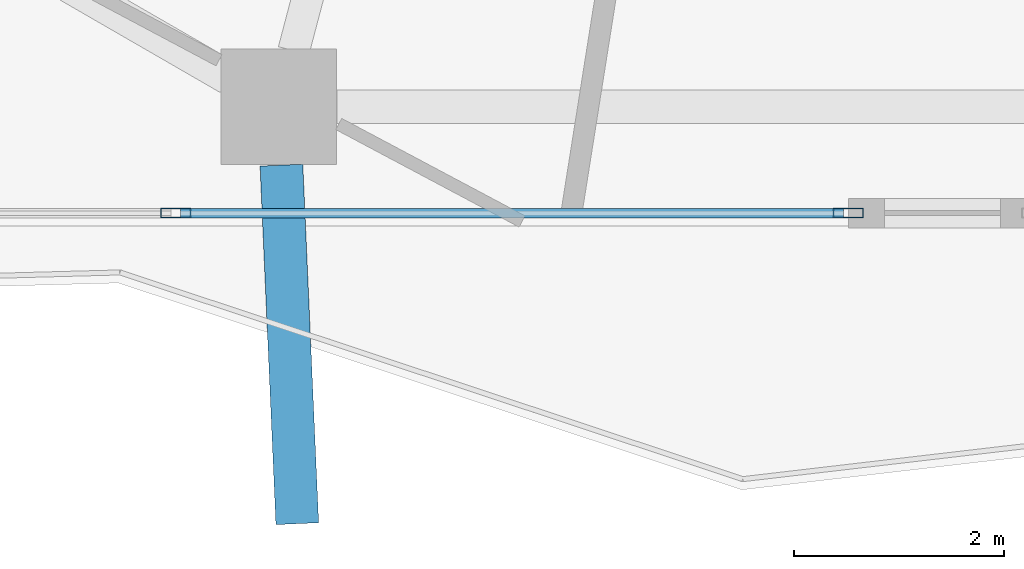
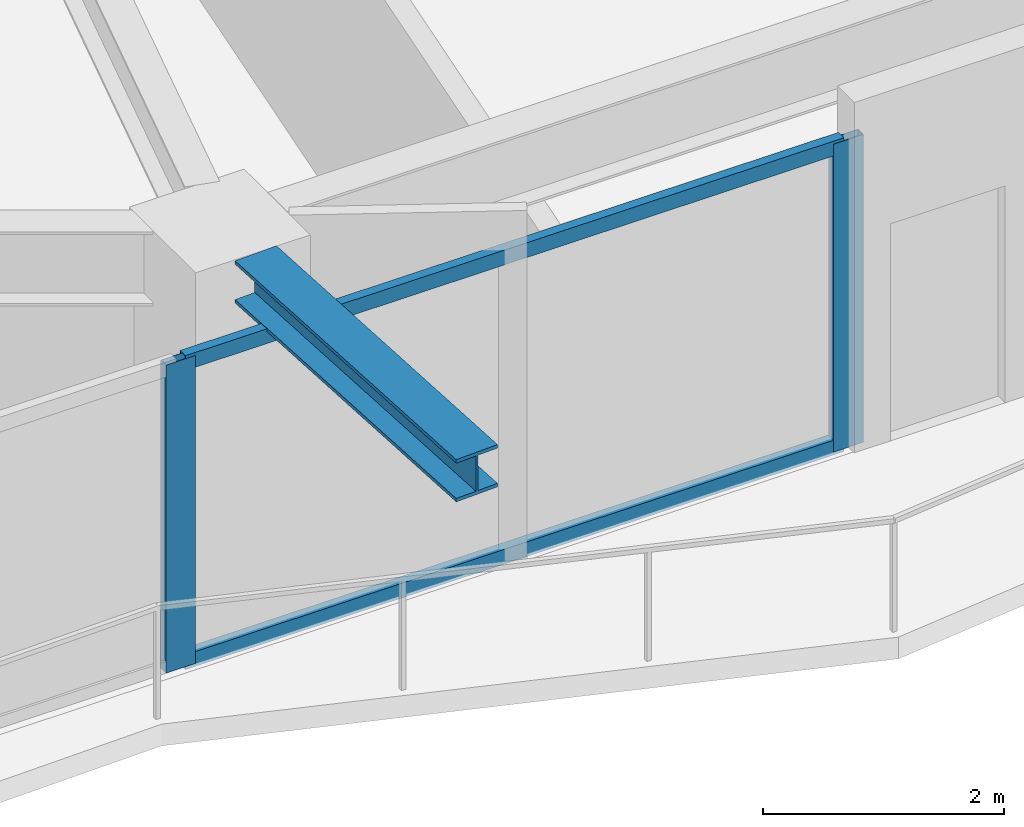
# One storey, part 3 of 33: 4 members, 1 beam, 1 element without a shape of its own.
"""IFC4 building model written with IfcOpenShell, lengths in metres."""

from ifc_helpers import new_model, si_unit, direction, frame, origin, origin_2d, place, context, subcontext, project, spatial, hollow_rectangle, i_section, extrude, material, material_profile, profile_set, type_object, element, aggregate, save


model = new_model("IFC4")

# Units and contexts
model_context = context("Model", 3, precision=1e-05, world=origin(), true_north=direction((0.0, 1.0)))
body_context = subcontext(model_context, "Body", "Model", "MODEL_VIEW")
ifc_project = project(units=[si_unit("LENGTHUNIT", "METRE"), si_unit("AREAUNIT", "SQUARE_METRE"), si_unit("VOLUMEUNIT", "CUBIC_METRE"), si_unit("PLANEANGLEUNIT", "RADIAN"), si_unit("MASSUNIT", "GRAM", prefix="KILO")], contexts=[model_context])

# Site, building, storey
site_placement = place(None, origin())
site = spatial("IfcSite", under=ifc_project, at=site_placement, CompositionType="ELEMENT")
building_placement = place(site_placement, origin())
building = spatial("IfcBuilding", under=site, at=building_placement, Name="Zuhravey Tower", CompositionType="ELEMENT")
storey_placement = place(building_placement, frame((0.0, 0.0, 126.60009765625)))
storey = spatial("IfcBuildingStorey", under=building, at=storey_placement, Name="L31", CompositionType="ELEMENT", Elevation=126.60009765625)

# Curtain wall, members
ifc_material_1 = material(Name="Thermally broken anodised aluminium", Category="aluminium")
curtain_wall_type = type_object("IfcCurtainWallType", Name="Zone 1-2 Residential Curtain Wall CW3", PredefinedType="NOTDEFINED", material=ifc_material_1)
curtain_wall_placement = place(storey_placement, origin())
curtain_wall = element("IfcCurtainWall", 1, at=curtain_wall_placement, inside=storey, type_object=curtain_wall_type, Name="L31 CW3 CW-L31-F5-2", PredefinedType="NOTDEFINED")
ifc_material_2 = material(Name="Anodised aluminium", Category="aluminium")
ifc_material_profile_1 = material_profile(ifc_material_2, hollow_rectangle(XDim=0.090087890625, YDim=0.284912109375, WallThickness=0.0048828125, at=origin_2d()), Name="ALU-RHS-90x285x5")
ifc_profile_set_1 = profile_set([ifc_material_profile_1], Name="Anodised aluminium")
member_type_1 = type_object("IfcMemberType", Name="Curtain-Wall Mullion 90x180", PredefinedType="MULLION", material=ifc_profile_set_1)
member_1_placement = place(storey_placement, frame((34.048828125, 3.04150390625, 0.0), z_axis=(0.0, 0.0, 1.0), x_axis=(0.0, -1.0, 0.0)))
member_1 = element("IfcMember", 2, at=member_1_placement, type_object=member_type_1, Name="CW3 mullion 1", PredefinedType="MULLION", context=body_context, shape_type="SweptSolid", body=[
    extrude(hollow_rectangle(XDim=0.090087890625, YDim=0.284912109375, WallThickness=0.0048828125, at=origin_2d()), origin(), (0.0, 0.0, 1.0), 3.121826171875),
])
member_2_placement = place(storey_placement, frame((27.647216796875, 3.04150390625, 0.0), z_axis=(0.0, 0.0, 1.0), x_axis=(0.0, -1.0, 0.0)))
member_2 = element("IfcMember", 3, at=member_2_placement, type_object=member_type_1, Name="CW3 mullion 2", PredefinedType="MULLION", context=body_context, shape_type="SweptSolid", body=[
    extrude(hollow_rectangle(XDim=0.090087890625, YDim=0.284912109375, WallThickness=0.0048828125, at=origin_2d()), origin(), (0.0, 0.0, 1.0), 3.121826171875),
])
ifc_material_profile_2 = material_profile(ifc_material_2, hollow_rectangle(XDim=0.090087890625, YDim=0.14990234375, WallThickness=0.0048828125, at=origin_2d()), Name="ALU-RHS-90x150x5")
ifc_profile_set_2 = profile_set([ifc_material_profile_2], Name="Anodised aluminium")
member_type_2 = type_object("IfcMemberType", Name="Curtain-Wall Transom 90x150", PredefinedType="USERDEFINED", material=ifc_profile_set_2)
member_3_placement = place(storey_placement, frame((34.00390625, 3.04150390625, 0.044921875), z_axis=(-1.0, 0.0, 0.0), x_axis=(0.0, -1.0, 0.0)))
member_3 = element("IfcMember", 4, at=member_3_placement, type_object=member_type_2, Name="CW3 transom 1.1", ObjectType="TRANSOM", PredefinedType="USERDEFINED", context=body_context, shape_type="SweptSolid", body=[
    extrude(hollow_rectangle(XDim=0.090087890625, YDim=0.14990234375, WallThickness=0.0048828125, at=origin_2d()), origin(), (0.0, 0.0, 1.0), 6.311767578125),
])
member_4_placement = place(storey_placement, frame((34.00390625, 3.04150390625, 3.076904296875), z_axis=(-1.0, 0.0, 0.0), x_axis=(0.0, -1.0, 0.0)))
member_4 = element("IfcMember", 5, at=member_4_placement, type_object=member_type_2, Name="CW3 transom 1.2", ObjectType="TRANSOM", PredefinedType="USERDEFINED", context=body_context, shape_type="SweptSolid", body=[
    extrude(hollow_rectangle(XDim=0.090087890625, YDim=0.14990234375, WallThickness=0.0048828125, at=origin_2d()), origin(), (0.0, 0.0, 1.0), 6.311767578125),
])
aggregate(curtain_wall, [member_1, member_2, member_3, member_4])

# Beam
ifc_material_3 = material(Name="Steel SM460", Category="steel")
ifc_material_profile_3 = material_profile(ifc_material_3, i_section(OverallWidth=0.406982421875, OverallDepth=0.427978515625, WebThickness=0.02001953125, FlangeThickness=0.034912109375, at=origin_2d()), Name="H-428x407x20x35")
ifc_profile_set_3 = profile_set([ifc_material_profile_3], Name="Steel SM460")
beam_type = type_object("IfcBeamType", Name="Exoskeleton Node Tie Beam H428x407", PredefinedType="BEAM", material=ifc_profile_set_3)
beam_placement = place(storey_placement, frame((28.654541015625, 3.49755859375, 3.3359375), z_axis=(0.044188115875, -0.999023228166, 0.0), x_axis=(0.999023228166, 0.044188115875, 0.0)))
element("IfcBeam", 6, at=beam_placement, inside=storey, type_object=beam_type, Name="L31 Exoskeleton Node Tie NT1-09", PredefinedType="BEAM", context=body_context, shape_type="SweptSolid", body=[
    extrude(i_section(OverallWidth=0.406982421875, OverallDepth=0.427978515625, WebThickness=0.02001953125, FlangeThickness=0.034912109375, at=origin_2d()), origin(), (0.0, 0.0, 1.0), 3.41455078125),
])

save(model, "model.ifc")
